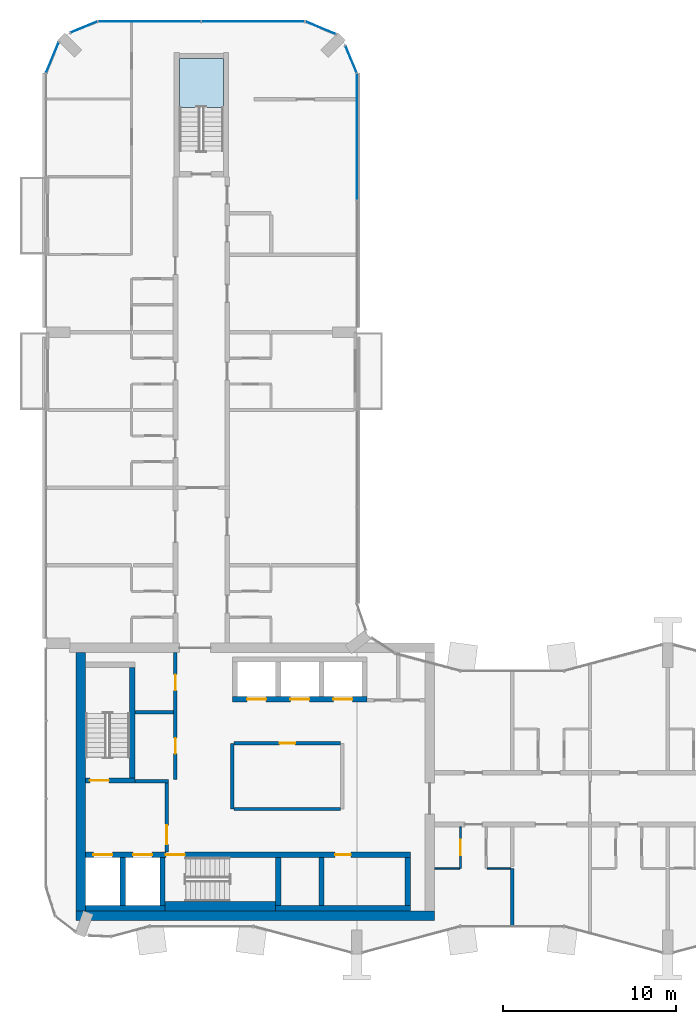
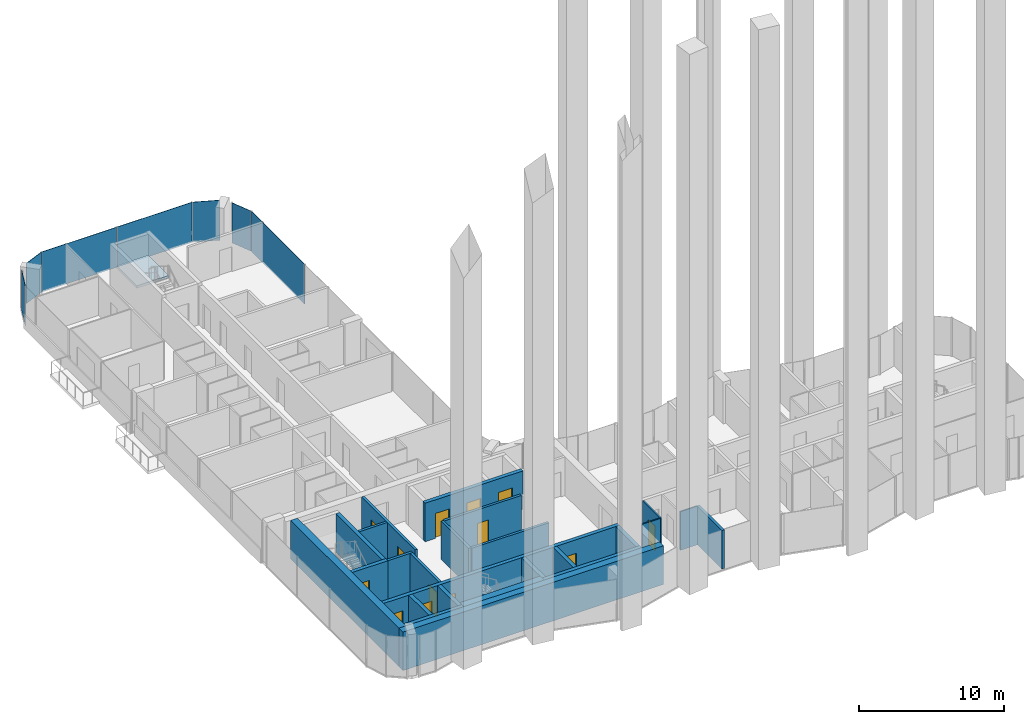
# One storey, part 9 of 17: 25 walls, 13 doors, 7 plates, 1 slab, 13 openings, 7 elements without a shape of their own.
"""IFC4 building model written with IfcOpenShell, lengths in metres."""

from ifc_helpers import new_model, si_unit, direction, frame, frame_2d, origin, origin_2d, place, context, subcontext, project, spatial, polyline, rectangle, outline, extrude, material, layer, layer_set, type_object, element, fill, aggregate, save


model = new_model("IFC4")

# Units and contexts
model_context = context("Model", 3, precision=1e-05, world=origin(), true_north=direction((0.0, 1.0)))
body_context = subcontext(model_context, "Body", "Model", "MODEL_VIEW")
ifc_project = project(units=[si_unit("LENGTHUNIT", "METRE"), si_unit("AREAUNIT", "SQUARE_METRE"), si_unit("VOLUMEUNIT", "CUBIC_METRE"), si_unit("PLANEANGLEUNIT", "RADIAN"), si_unit("MASSUNIT", "GRAM", prefix="KILO")], contexts=[model_context])

# Site, building, storey
site_placement = place(None, origin())
site = spatial("IfcSite", under=ifc_project, at=site_placement, CompositionType="ELEMENT")
building_placement = place(site_placement, origin())
building = spatial("IfcBuilding", under=site, at=building_placement, Name="Plateau Cross Towers", CompositionType="ELEMENT")
storey_placement = place(building_placement, frame((0.0, 0.0, 190.89990234375)))
storey = spatial("IfcBuildingStorey", under=building, at=storey_placement, Name="L49", CompositionType="ELEMENT", Elevation=190.89990234375)

# Curtain wall, plate
ifc_material_1 = material(Name="Dark low-iron glass", Category="glass")
ifc_layer_1 = layer(ifc_material_1, 0.239990234375)
ifc_layer_set_1 = layer_set([ifc_layer_1], Name="Dark low-iron glass")
curtain_wall_type = type_object("IfcCurtainWallType", Name="Curtain wall flush unitised CW-B", PredefinedType="NOTDEFINED", material=ifc_layer_set_1)
curtain_wall_1_placement = place(storey_placement, origin())
curtain_wall_1 = element("IfcCurtainWall", 1, at=curtain_wall_1_placement, inside=storey, type_object=curtain_wall_type, Name="ENV/A/L49/A180_363", PredefinedType="NOTDEFINED")
ifc_layer_2 = layer(ifc_material_1, 0.031982421875)
ifc_layer_set_2 = layer_set([ifc_layer_2], Name="Dark low-iron glass")
plate_type = type_object("IfcPlateType", Name="Glass panel 32 flush unitised", PredefinedType="CURTAIN_PANEL", material=ifc_layer_set_2)
plate_1_placement = place(storey_placement, frame((18.0, 47.324951171875, -0.1298828125), z_axis=(0.0, 0.0, 1.0), x_axis=(0.0, 1.0, 0.0)))
plate_1 = element("IfcPlate", 2, at=plate_1_placement, type_object=plate_type, Name="CW-B panel 2", PredefinedType="CURTAIN_PANEL", context=body_context, shape_type="SweptSolid", body=[
    extrude(rectangle(XDim=7.2900390625, YDim=0.031982421875, at=origin_2d()), origin(), (0.0, 0.0, 1.0), 3.3798828125),
])
aggregate(curtain_wall_1, [plate_1])

curtain_wall_2_placement = place(storey_placement, origin())
curtain_wall_2 = element("IfcCurtainWall", 3, at=curtain_wall_2_placement, inside=storey, type_object=curtain_wall_type, Name="ENV/A/L49/A180_510", PredefinedType="NOTDEFINED")
plate_2_placement = place(storey_placement, frame((17.66943359375, 51.79833984375, -0.1298828125), z_axis=(0.0, 0.0, 1.0), x_axis=(-0.382683612978, 0.923879457699, 0.0)))
plate_2 = element("IfcPlate", 4, at=plate_2_placement, type_object=plate_type, Name="CW-B panel 1", PredefinedType="CURTAIN_PANEL", context=body_context, shape_type="SweptSolid", body=[
    extrude(rectangle(XDim=1.668212890625, YDim=0.031982421875, at=origin_2d()), origin(), (0.0, 0.0, 1.0), 3.3798828125),
])
aggregate(curtain_wall_2, [plate_2])

curtain_wall_3_placement = place(storey_placement, origin())
curtain_wall_3 = element("IfcCurtainWall", 5, at=curtain_wall_3_placement, inside=storey, type_object=curtain_wall_type, Name="ENV/A/L49/A168_533", PredefinedType="NOTDEFINED")
plate_3_placement = place(storey_placement, frame((15.90283203125, 53.6259765625, -0.1298828125), z_axis=(0.0, 0.0, 1.0), x_axis=(-0.923879457699, 0.382683612978, 0.0)))
plate_3 = element("IfcPlate", 6, at=plate_3_placement, type_object=plate_type, Name="CW-B panel 1", PredefinedType="CURTAIN_PANEL", context=body_context, shape_type="SweptSolid", body=[
    extrude(rectangle(XDim=1.894775390625, YDim=0.031982421875, at=origin_2d()), origin(), (0.0, 0.0, 1.0), 3.3798828125),
])
aggregate(curtain_wall_3, [plate_3])

# Curtain wall, plates
curtain_wall_4_placement = place(storey_placement, origin())
curtain_wall_4 = element("IfcCurtainWall", 7, at=curtain_wall_4_placement, inside=storey, type_object=curtain_wall_type, Name="ENV/A/L49/A150_540", PredefinedType="NOTDEFINED")
plate_4_placement = place(storey_placement, frame((12.0, 54.0, -0.1298828125), z_axis=(0.0, 0.0, 1.0), x_axis=(-1.0, 0.0, 0.0)))
plate_4 = element("IfcPlate", 8, at=plate_4_placement, type_object=plate_type, Name="CW-B panel 1", PredefinedType="CURTAIN_PANEL", context=body_context, shape_type="SweptSolid", body=[
    extrude(rectangle(XDim=5.93994140625, YDim=0.031982421875, at=origin_2d()), origin(), (0.0, 0.0, 1.0), 3.3798828125),
])
plate_5_placement = place(storey_placement, frame((6.0, 54.0, -0.1298828125), z_axis=(0.0, 0.0, 1.0), x_axis=(-1.0, 0.0, 0.0)))
plate_5 = element("IfcPlate", 9, at=plate_5_placement, type_object=plate_type, Name="CW-B panel 2", PredefinedType="CURTAIN_PANEL", context=body_context, shape_type="SweptSolid", body=[
    extrude(rectangle(XDim=5.93994140625, YDim=0.031982421875, at=origin_2d()), origin(), (0.0, 0.0, 1.0), 3.3798828125),
])
aggregate(curtain_wall_4, [plate_4, plate_5])

# Curtain wall, plate
curtain_wall_5_placement = place(storey_placement, origin())
curtain_wall_5 = element("IfcCurtainWall", 10, at=curtain_wall_5_placement, inside=storey, type_object=curtain_wall_type, Name="ENV/A/L49/A30_540", PredefinedType="NOTDEFINED")
plate_6_placement = place(storey_placement, frame((2.20166015625, 53.66943359375, -0.1298828125), z_axis=(0.0, 0.0, 1.0), x_axis=(-0.923879457699, -0.382683612978, 0.0)))
plate_6 = element("IfcPlate", 11, at=plate_6_placement, type_object=plate_type, Name="CW-B panel 1", PredefinedType="CURTAIN_PANEL", context=body_context, shape_type="SweptSolid", body=[
    extrude(rectangle(XDim=1.668212890625, YDim=0.031982421875, at=origin_2d()), origin(), (0.0, 0.0, 1.0), 3.3798828125),
])
aggregate(curtain_wall_5, [plate_6])

curtain_wall_6_placement = place(storey_placement, origin())
curtain_wall_6 = element("IfcCurtainWall", 12, at=curtain_wall_6_placement, inside=storey, type_object=curtain_wall_type, Name="ENV/A/L49/A7_528", PredefinedType="NOTDEFINED")
plate_7_placement = place(storey_placement, frame((0.3740234375, 51.90283203125, -0.1298828125), z_axis=(0.0, 0.0, 1.0), x_axis=(-0.382683612978, -0.923879457699, 0.0)))
plate_7 = element("IfcPlate", 13, at=plate_7_placement, type_object=plate_type, Name="CW-B panel 1", PredefinedType="CURTAIN_PANEL", context=body_context, shape_type="SweptSolid", body=[
    extrude(rectangle(XDim=1.894775390625, YDim=0.031982421875, at=origin_2d()), origin(), (0.0, 0.0, 1.0), 3.3798828125),
])
aggregate(curtain_wall_6, [plate_7])

# Stair, slab
ifc_material_2 = material(Name="Concrete C40/50", Category="concrete")
stair_type = type_object("IfcStairType", Name="ST-TWR", PredefinedType="HALF_TURN_STAIR", material=ifc_material_2)
stair_placement = place(storey_placement, origin())
stair = element("IfcStair", 14, at=stair_placement, inside=storey, type_object=stair_type, Name="L49 Protected Exit Stair N", PredefinedType="HALF_TURN_STAIR")
ifc_layer_3 = layer(ifc_material_2, 0.199951171875)
ifc_layer_set_3 = layer_set([ifc_layer_3], Name="Concrete C40/50")
slab_type = type_object("IfcSlabType", Name="SL-LANDING", PredefinedType="LANDING", material=ifc_layer_set_3)
slab_placement = place(storey_placement, frame((0.0, 0.0, 1.550048828125)))
slab = element("IfcSlab", 15, at=slab_placement, type_object=slab_type, Name="ES-N landing 1", PredefinedType="LANDING", context=body_context, shape_type="SweptSolid", body=[
    extrude(outline(polyline([(10.27490234375, 49.02001953125), (10.27490234375, 51.85009765625), (7.72509765625, 51.85009765625), (7.72509765625, 49.02001953125), (10.27490234375, 49.02001953125)])), origin(), (0.0, 0.0, 1.0), 0.199951171875),
])
aggregate(stair, [slab])

# Wall, opening, door
ifc_material_3 = material(Name="Concrete block, plastered both sides", Category="concrete")
ifc_layer_4 = layer(ifc_material_3, 0.199951171875)
ifc_layer_set_4 = layer_set([ifc_layer_4], Name="Concrete block, plastered both sides")
wall_type_1 = type_object("IfcWallType", Name="Core partition 200", PredefinedType="PARTITIONING", material=ifc_layer_set_4)
wall_1_placement = place(storey_placement, frame((7.0, 5.89990234375, 0.0), z_axis=(0.0, 0.0, 1.0), x_axis=(0.0, 1.0, 0.0)))
wall_1 = element("IfcWall", 16, at=wall_1_placement, inside=storey, type_object=wall_type_1, Name="Core partition", PredefinedType="PARTITIONING", context=body_context, shape_type="SweptSolid", body=[
    extrude(rectangle(XDim=4.0, YDim=0.199951171875, at=frame_2d((2.0, 0.0))), origin(), (0.0, 0.0, 1.0), 3.25),
])
opening_1_placement = place(wall_1_placement, frame((0.449951171875, 0.0, 0.0)))
opening_1 = element("IfcOpeningElement", 17, at=opening_1_placement, cuts=wall_1, Name="Opening FFD", PredefinedType="OPENING", context=body_context, shape_type="SweptSolid", body=[
    extrude(rectangle(XDim=1.10009765625, YDim=2.10009765625, at=frame_2d((0.550048828125, 1.050048828125))), frame((0.0, 0.10986328125, 0.0), z_axis=(0.0, -1.0, 0.0), x_axis=(1.0, 0.0, 0.0)), (0.0, 0.0, 1.0), 0.219970703125),
])
ifc_material_4 = material(Name="Steel, fire-resisting leaf", Category="steel")
door_type_1 = type_object("IfcDoorType", Name="Firefighting lobby door 1100", OperationType="NOTDEFINED", PredefinedType="DOOR", material=ifc_material_4)
door_1_placement = place(opening_1_placement, origin())
door_1 = element("IfcDoor", 18, at=door_1_placement, inside=storey, type_object=door_type_1, Name="Firefighting lobby door FFD", OperationType="SINGLE_SWING_LEFT", OverallHeight=2.10009765625, OverallWidth=1.10009765625, PredefinedType="DOOR", context=body_context, shape_type="SweptSolid", body=[
    extrude(rectangle(XDim=1.10009765625, YDim=2.10009765625, at=frame_2d((0.550048828125, 1.050048828125))), frame((0.0, 0.02490234375, 0.0), z_axis=(0.0, -1.0, 0.0), x_axis=(1.0, 0.0, 0.0)), (0.0, 0.0, 1.0), 0.050048828125),
])
fill(opening_1, door_1)

# Walls
wall_2_placement = place(storey_placement, frame((5.14990234375, 10.0, 0.0), z_axis=(0.0, 0.0, 1.0), x_axis=(1.0, 0.0, 0.0)))
element("IfcWall", 19, at=wall_2_placement, inside=storey, type_object=wall_type_1, Name="Core partition", PredefinedType="PARTITIONING", context=body_context, shape_type="SweptSolid", body=[
    extrude(rectangle(XDim=1.9501953125, YDim=0.199951171875, at=frame_2d((0.97509765625, 0.0))), origin(), (0.0, 0.0, 1.0), 3.25),
])
wall_3_placement = place(storey_placement, frame((10.800048828125, 8.39990234375, 0.0), z_axis=(0.0, 0.0, 1.0), x_axis=(0.0, 1.0, 0.0)))
element("IfcWall", 20, at=wall_3_placement, inside=storey, type_object=wall_type_1, Name="Core partition", PredefinedType="PARTITIONING", context=body_context, shape_type="SweptSolid", body=[
    extrude(rectangle(XDim=3.800048828125, YDim=0.199951171875, at=frame_2d((1.89990234375, 0.0))), origin(), (0.0, 0.0, 1.0), 3.25),
])
wall_4_placement = place(storey_placement, frame((10.89990234375, 8.39990234375, 0.0), z_axis=(0.0, 0.0, 1.0), x_axis=(1.0, 0.0, 0.0)))
element("IfcWall", 21, at=wall_4_placement, inside=storey, type_object=wall_type_1, Name="Core partition", PredefinedType="PARTITIONING", context=body_context, shape_type="SweptSolid", body=[
    extrude(rectangle(XDim=6.150146484375, YDim=0.199951171875, at=frame_2d((3.0751953125, 0.0))), origin(), (0.0, 0.0, 1.0), 3.25),
])

# Wall, opening, door
wall_5_placement = place(storey_placement, frame((10.89990234375, 12.199951171875, 0.0), z_axis=(0.0, 0.0, 1.0), x_axis=(1.0, 0.0, 0.0)))
wall_5 = element("IfcWall", 22, at=wall_5_placement, inside=storey, type_object=wall_type_1, Name="Core partition", PredefinedType="PARTITIONING", context=body_context, shape_type="SweptSolid", body=[
    extrude(rectangle(XDim=6.150146484375, YDim=0.199951171875, at=frame_2d((3.0751953125, 0.0))), origin(), (0.0, 0.0, 1.0), 3.25),
])
opening_2_placement = place(wall_5_placement, frame((2.625, 0.0, 0.0)))
opening_2 = element("IfcOpeningElement", 23, at=opening_2_placement, cuts=wall_5, Name="Opening RD1", PredefinedType="OPENING", context=body_context, shape_type="SweptSolid", body=[
    extrude(rectangle(XDim=0.89990234375, YDim=2.10009765625, at=frame_2d((0.449951171875, 1.050048828125))), frame((0.0, 0.10986328125, 0.0), z_axis=(0.0, -1.0, 0.0), x_axis=(1.0, 0.0, 0.0)), (0.0, 0.0, 1.0), 0.219970703125),
])
ifc_material_5 = material(Name="Timber, fire-resisting leaf", Category="wood")
door_type_2 = type_object("IfcDoorType", Name="Core service door 900", OperationType="NOTDEFINED", PredefinedType="DOOR", material=ifc_material_5)
door_2_placement = place(opening_2_placement, origin())
door_2 = element("IfcDoor", 24, at=door_2_placement, inside=storey, type_object=door_type_2, Name="Core service door RD1", OperationType="SINGLE_SWING_LEFT", OverallHeight=2.10009765625, OverallWidth=0.89990234375, PredefinedType="DOOR", context=body_context, shape_type="SweptSolid", body=[
    extrude(rectangle(XDim=0.89990234375, YDim=2.10009765625, at=frame_2d((0.449951171875, 1.050048828125))), frame((0.0, 0.02490234375, 0.0), z_axis=(0.0, -1.0, 0.0), x_axis=(1.0, 0.0, 0.0)), (0.0, 0.0, 1.0), 0.050048828125),
])
fill(opening_2, door_2)

# Wall, openings, doors
wall_6_placement = place(storey_placement, frame((7.5, 10.10009765625, 0.0), z_axis=(0.0, 0.0, 1.0), x_axis=(0.0, 1.0, 0.0)))
wall_6 = element("IfcWall", 25, at=wall_6_placement, inside=storey, type_object=wall_type_1, Name="Core partition", PredefinedType="PARTITIONING", context=body_context, shape_type="SweptSolid", body=[
    extrude(rectangle(XDim=7.349853515625, YDim=0.199951171875, at=frame_2d((3.6748046875, 0.0))), origin(), (0.0, 0.0, 1.0), 3.25),
])
opening_3_placement = place(wall_6_placement, frame((1.5, 0.0, 0.0)))
opening_3 = element("IfcOpeningElement", 26, at=opening_3_placement, cuts=wall_6, Name="Opening RD1", PredefinedType="OPENING", context=body_context, shape_type="SweptSolid", body=[
    extrude(rectangle(XDim=0.89990234375, YDim=2.10009765625, at=frame_2d((0.449951171875, 1.050048828125))), frame((0.0, 0.10986328125, 0.0), z_axis=(0.0, -1.0, 0.0), x_axis=(1.0, 0.0, 0.0)), (0.0, 0.0, 1.0), 0.219970703125),
])
opening_4_placement = place(wall_6_placement, frame((5.175048828125, 0.0, 0.0)))
opening_4 = element("IfcOpeningElement", 27, at=opening_4_placement, cuts=wall_6, Name="Opening RD1", PredefinedType="OPENING", context=body_context, shape_type="SweptSolid", body=[
    extrude(rectangle(XDim=0.89990234375, YDim=2.10009765625, at=frame_2d((0.449951171875, 1.050048828125))), frame((0.0, 0.10986328125, 0.0), z_axis=(0.0, -1.0, 0.0), x_axis=(1.0, 0.0, 0.0)), (0.0, 0.0, 1.0), 0.219970703125),
])
door_3_placement = place(opening_3_placement, origin())
door_3 = element("IfcDoor", 28, at=door_3_placement, inside=storey, type_object=door_type_2, Name="Core service door RD1", OperationType="SINGLE_SWING_RIGHT", OverallHeight=2.10009765625, OverallWidth=0.89990234375, PredefinedType="DOOR", context=body_context, shape_type="SweptSolid", body=[
    extrude(rectangle(XDim=0.89990234375, YDim=2.10009765625, at=frame_2d((0.449951171875, 1.050048828125))), frame((0.0, 0.02490234375, 0.0), z_axis=(0.0, -1.0, 0.0), x_axis=(1.0, 0.0, 0.0)), (0.0, 0.0, 1.0), 0.050048828125),
])
fill(opening_3, door_3)
door_4_placement = place(opening_4_placement, origin())
door_4 = element("IfcDoor", 29, at=door_4_placement, inside=storey, type_object=door_type_2, Name="Core service door RD1", OperationType="SINGLE_SWING_RIGHT", OverallHeight=2.10009765625, OverallWidth=0.89990234375, PredefinedType="DOOR", context=body_context, shape_type="SweptSolid", body=[
    extrude(rectangle(XDim=0.89990234375, YDim=2.10009765625, at=frame_2d((0.449951171875, 1.050048828125))), frame((0.0, 0.02490234375, 0.0), z_axis=(0.0, -1.0, 0.0), x_axis=(1.0, 0.0, 0.0)), (0.0, 0.0, 1.0), 0.050048828125),
])
fill(opening_4, door_4)

# Walls
wall_7_placement = place(storey_placement, frame((5.14990234375, 14.0, 0.0), z_axis=(0.0, 0.0, 1.0), x_axis=(1.0, 0.0, 0.0)))
element("IfcWall", 30, at=wall_7_placement, inside=storey, type_object=wall_type_1, Name="Core partition", PredefinedType="PARTITIONING", context=body_context, shape_type="SweptSolid", body=[
    extrude(rectangle(XDim=2.25, YDim=0.199951171875, at=frame_2d((1.125, 0.0))), origin(), (0.0, 0.0, 1.0), 3.25),
])
ifc_material_6 = material(Name="Concrete C60/75", Category="concrete")
ifc_layer_5 = layer(ifc_material_6, 0.300048828125)
ifc_layer_set_5 = layer_set([ifc_layer_5], Name="Concrete C60/75")
wall_type_2 = type_object("IfcWallType", Name="Core shaft wall 300", PredefinedType="SHEAR", material=ifc_layer_set_5)
wall_8_placement = place(storey_placement, frame((2.300048828125, 2.64990234375, 0.0), z_axis=(0.0, 0.0, 1.0), x_axis=(1.0, 0.0, 0.0)))
element("IfcWall", 31, at=wall_8_placement, inside=storey, type_object=wall_type_2, Name="A-sb-back1@L49", PredefinedType="SHEAR", context=body_context, shape_type="SweptSolid", body=[
    extrude(rectangle(XDim=4.599853515625, YDim=0.300048828125, at=frame_2d((2.2998046875, 0.0))), origin(), (0.0, 0.0, 1.0), 3.25),
])
wall_9_placement = place(storey_placement, frame((13.300048828125, 2.64990234375, 0.0), z_axis=(0.0, 0.0, 1.0), x_axis=(1.0, 0.0, 0.0)))
element("IfcWall", 32, at=wall_9_placement, inside=storey, type_object=wall_type_2, Name="A-sb-back3@L49", PredefinedType="SHEAR", context=body_context, shape_type="SweptSolid", body=[
    extrude(rectangle(XDim=7.800048828125, YDim=0.300048828125, at=frame_2d((3.89990234375, 0.0))), origin(), (0.0, 0.0, 1.0), 3.25),
])
for number, where, z_axis, x_axis, name in (
    (33, (4.449951171875, 2.800048828125, 0.0), (0.0, 0.0, 1.0), (0.0, 1.0, 0.0), "A-sb-v1@L49"),
    (34, (6.75, 2.800048828125, 0.0), (0.0, 0.0, 1.0), (0.0, 1.0, 0.0), "A-sb-v2@L49"),
    (35, (13.449951171875, 2.800048828125, 0.0), (0.0, 0.0, 1.0), (0.0, 1.0, 0.0), "A-sb-v3@L49"),
    (36, (20.949951171875, 2.800048828125, 0.0), (0.0, 0.0, 1.0), (0.0, 1.0, 0.0), "A-sb-v6@L49"),
):
    element("IfcWall", number, at=place(storey_placement, frame(where, z_axis=z_axis, x_axis=x_axis)), inside=storey, type_object=wall_type_2, Name=name, PredefinedType="SHEAR", context=body_context, shape_type="SweptSolid", body=[
        extrude(rectangle(XDim=2.800048828125, YDim=0.300048828125, at=frame_2d((1.39990234375, 0.0))), origin(), (0.0, 0.0, 1.0), 3.25),
    ])

# Wall, openings, doors
wall_10_placement = place(storey_placement, frame((2.300048828125, 5.75, 0.0), z_axis=(0.0, 0.0, 1.0), x_axis=(1.0, 0.0, 0.0)))
wall_10 = element("IfcWall", 37, at=wall_10_placement, inside=storey, type_object=wall_type_2, Name="A-sb-front@L49", PredefinedType="SHEAR", context=body_context, shape_type="SweptSolid", body=[
    extrude(rectangle(XDim=18.800048828125, YDim=0.300048828125, at=frame_2d((9.39990234375, 0.0))), origin(), (0.0, 0.0, 1.0), 3.25),
])
opening_5_placement = place(wall_10_placement, frame((4.64990234375, 0.0, 0.0)))
opening_5 = element("IfcOpeningElement", 38, at=opening_5_placement, cuts=wall_10, Name="Opening SD", PredefinedType="OPENING", context=body_context, shape_type="SweptSolid", body=[
    extrude(rectangle(XDim=1.10009765625, YDim=2.10009765625, at=frame_2d((0.550048828125, 1.050048828125))), frame((0.0, 0.159912109375, 0.0), z_axis=(0.0, -1.0, 0.0), x_axis=(1.0, 0.0, 0.0)), (0.0, 0.0, 1.0), 0.320068359375),
])
opening_6_placement = place(wall_10_placement, frame((0.449951171875, 0.0, 0.0)))
opening_6 = element("IfcOpeningElement", 39, at=opening_6_placement, cuts=wall_10, Name="Opening LD", PredefinedType="OPENING", context=body_context, shape_type="SweptSolid", body=[
    extrude(rectangle(XDim=1.10009765625, YDim=2.10009765625, at=frame_2d((0.550048828125, 1.050048828125))), frame((0.0, 0.159912109375, 0.0), z_axis=(0.0, -1.0, 0.0), x_axis=(1.0, 0.0, 0.0)), (0.0, 0.0, 1.0), 0.320068359375),
])
opening_7_placement = place(wall_10_placement, frame((2.75, 0.0, 0.0)))
opening_7 = element("IfcOpeningElement", 40, at=opening_7_placement, cuts=wall_10, Name="Opening LD", PredefinedType="OPENING", context=body_context, shape_type="SweptSolid", body=[
    extrude(rectangle(XDim=1.10009765625, YDim=2.10009765625, at=frame_2d((0.550048828125, 1.050048828125))), frame((0.0, 0.159912109375, 0.0), z_axis=(0.0, -1.0, 0.0), x_axis=(1.0, 0.0, 0.0)), (0.0, 0.0, 1.0), 0.320068359375),
])
opening_8_placement = place(wall_10_placement, frame((14.449951171875, 0.0, 0.0)))
opening_8 = element("IfcOpeningElement", 41, at=opening_8_placement, cuts=wall_10, Name="Opening RD2", PredefinedType="OPENING", context=body_context, shape_type="SweptSolid", body=[
    extrude(rectangle(XDim=0.89990234375, YDim=2.10009765625, at=frame_2d((0.449951171875, 1.050048828125))), frame((0.0, 0.159912109375, 0.0), z_axis=(0.0, -1.0, 0.0), x_axis=(1.0, 0.0, 0.0)), (0.0, 0.0, 1.0), 0.320068359375),
])
door_type_3 = type_object("IfcDoorType", Name="Core riser door 900", OperationType="NOTDEFINED", PredefinedType="DOOR", material=ifc_material_4)
door_5_placement = place(opening_8_placement, origin())
door_5 = element("IfcDoor", 42, at=door_5_placement, inside=storey, type_object=door_type_3, Name="Core riser door RD2", OperationType="SINGLE_SWING_LEFT", OverallHeight=2.10009765625, OverallWidth=0.89990234375, PredefinedType="DOOR", context=body_context, shape_type="SweptSolid", body=[
    extrude(rectangle(XDim=0.89990234375, YDim=2.10009765625, at=frame_2d((0.449951171875, 1.050048828125))), frame((0.0, 0.02490234375, 0.0), z_axis=(0.0, -1.0, 0.0), x_axis=(1.0, 0.0, 0.0)), (0.0, 0.0, 1.0), 0.050048828125),
])
fill(opening_8, door_5)
ifc_material_7 = material(Name="Stainless steel, fire-resisting sliding leaves", Category="steel")
door_type_4 = type_object("IfcDoorType", Name="Lift landing door 1100", OperationType="NOTDEFINED", PredefinedType="DOOR", material=ifc_material_7)
door_6_placement = place(opening_6_placement, origin())
door_6 = element("IfcDoor", 43, at=door_6_placement, inside=storey, type_object=door_type_4, Name="Lift landing door LD", OperationType="DOUBLE_DOOR_SLIDING", OverallHeight=2.10009765625, OverallWidth=1.10009765625, PredefinedType="DOOR", context=body_context, shape_type="SweptSolid", body=[
    extrude(rectangle(XDim=1.10009765625, YDim=2.10009765625, at=frame_2d((0.550048828125, 1.050048828125))), frame((0.0, 0.02490234375, 0.0), z_axis=(0.0, -1.0, 0.0), x_axis=(1.0, 0.0, 0.0)), (0.0, 0.0, 1.0), 0.050048828125),
])
fill(opening_6, door_6)
door_7_placement = place(opening_7_placement, origin())
door_7 = element("IfcDoor", 44, at=door_7_placement, inside=storey, type_object=door_type_4, Name="Lift landing door LD", OperationType="DOUBLE_DOOR_SLIDING", OverallHeight=2.10009765625, OverallWidth=1.10009765625, PredefinedType="DOOR", context=body_context, shape_type="SweptSolid", body=[
    extrude(rectangle(XDim=1.10009765625, YDim=2.10009765625, at=frame_2d((0.550048828125, 1.050048828125))), frame((0.0, 0.02490234375, 0.0), z_axis=(0.0, -1.0, 0.0), x_axis=(1.0, 0.0, 0.0)), (0.0, 0.0, 1.0), 0.050048828125),
])
fill(opening_7, door_7)
door_type_5 = type_object("IfcDoorType", Name="Stair door 1100", OperationType="NOTDEFINED", PredefinedType="DOOR", material=ifc_material_4)
door_8_placement = place(opening_5_placement, origin())
door_8 = element("IfcDoor", 45, at=door_8_placement, inside=storey, type_object=door_type_5, Name="Stair door SD", OperationType="SINGLE_SWING_LEFT", OverallHeight=2.10009765625, OverallWidth=1.10009765625, PredefinedType="DOOR", context=body_context, shape_type="SweptSolid", body=[
    extrude(rectangle(XDim=1.10009765625, YDim=2.10009765625, at=frame_2d((0.550048828125, 1.050048828125))), frame((0.0, 0.02490234375, 0.0), z_axis=(0.0, -1.0, 0.0), x_axis=(1.0, 0.0, 0.0)), (0.0, 0.0, 1.0), 0.050048828125),
])
fill(opening_5, door_8)

# Wall, opening, door
wall_11_placement = place(storey_placement, frame((2.300048828125, 10.050048828125, 0.0), z_axis=(0.0, 0.0, 1.0), x_axis=(1.0, 0.0, 0.0)))
wall_11 = element("IfcWall", 46, at=wall_11_placement, inside=storey, type_object=wall_type_2, Name="A-st1-S@L49", PredefinedType="SHEAR", context=body_context, shape_type="SweptSolid", body=[
    extrude(rectangle(XDim=2.849853515625, YDim=0.300048828125, at=frame_2d((1.4248046875, 0.0))), origin(), (0.0, 0.0, 1.0), 3.25),
])
opening_9_placement = place(wall_11_placement, frame((0.25, 0.0, 0.0)))
opening_9 = element("IfcOpeningElement", 47, at=opening_9_placement, cuts=wall_11, Name="Opening SD", PredefinedType="OPENING", context=body_context, shape_type="SweptSolid", body=[
    extrude(rectangle(XDim=1.10009765625, YDim=2.10009765625, at=frame_2d((0.550048828125, 1.050048828125))), frame((0.0, 0.159912109375, 0.0), z_axis=(0.0, -1.0, 0.0), x_axis=(1.0, 0.0, 0.0)), (0.0, 0.0, 1.0), 0.320068359375),
])
door_9_placement = place(opening_9_placement, origin())
door_9 = element("IfcDoor", 48, at=door_9_placement, inside=storey, type_object=door_type_5, Name="Stair door SD", OperationType="SINGLE_SWING_RIGHT", OverallHeight=2.10009765625, OverallWidth=1.10009765625, PredefinedType="DOOR", context=body_context, shape_type="SweptSolid", body=[
    extrude(rectangle(XDim=1.10009765625, YDim=2.10009765625, at=frame_2d((0.550048828125, 1.050048828125))), frame((0.0, 0.02490234375, 0.0), z_axis=(0.0, -1.0, 0.0), x_axis=(1.0, 0.0, 0.0)), (0.0, 0.0, 1.0), 0.050048828125),
])
fill(opening_9, door_9)

# Wall
wall_12_placement = place(storey_placement, frame((5.0, 10.199951171875, 0.0), z_axis=(0.0, 0.0, 1.0), x_axis=(0.0, 1.0, 0.0)))
element("IfcWall", 49, at=wall_12_placement, inside=storey, type_object=wall_type_2, Name="A-st1-E@L49", PredefinedType="SHEAR", context=body_context, shape_type="SweptSolid", body=[
    extrude(rectangle(XDim=6.400146484375, YDim=0.300048828125, at=frame_2d((3.2001953125, 0.0))), origin(), (0.0, 0.0, 1.0), 3.25),
])

# Wall, openings, doors
wall_13_placement = place(storey_placement, frame((10.800048828125, 14.75, 0.0), z_axis=(0.0, 0.0, 1.0), x_axis=(1.0, 0.0, 0.0)))
wall_13 = element("IfcWall", 50, at=wall_13_placement, inside=storey, type_object=wall_type_2, Name="A-nb-front@L49", PredefinedType="SHEAR", context=body_context, shape_type="SweptSolid", body=[
    extrude(rectangle(XDim=7.800048828125, YDim=0.300048828125, at=frame_2d((3.89990234375, 0.0))), origin(), (0.0, 0.0, 1.0), 3.25),
])
opening_10_placement = place(wall_13_placement, frame((0.85009765625, 0.0, 0.0)))
opening_10 = element("IfcOpeningElement", 51, at=opening_10_placement, cuts=wall_13, Name="Opening LD", PredefinedType="OPENING", context=body_context, shape_type="SweptSolid", body=[
    extrude(rectangle(XDim=1.10009765625, YDim=2.10009765625, at=frame_2d((0.550048828125, 1.050048828125))), frame((0.0, 0.159912109375, 0.0), z_axis=(0.0, -1.0, 0.0), x_axis=(1.0, 0.0, 0.0)), (0.0, 0.0, 1.0), 0.320068359375),
])
opening_11_placement = place(wall_13_placement, frame((3.35009765625, 0.0, 0.0)))
opening_11 = element("IfcOpeningElement", 52, at=opening_11_placement, cuts=wall_13, Name="Opening LD", PredefinedType="OPENING", context=body_context, shape_type="SweptSolid", body=[
    extrude(rectangle(XDim=1.10009765625, YDim=2.10009765625, at=frame_2d((0.550048828125, 1.050048828125))), frame((0.0, 0.159912109375, 0.0), z_axis=(0.0, -1.0, 0.0), x_axis=(1.0, 0.0, 0.0)), (0.0, 0.0, 1.0), 0.320068359375),
])
opening_12_placement = place(wall_13_placement, frame((5.85009765625, 0.0, 0.0)))
opening_12 = element("IfcOpeningElement", 53, at=opening_12_placement, cuts=wall_13, Name="Opening LD", PredefinedType="OPENING", context=body_context, shape_type="SweptSolid", body=[
    extrude(rectangle(XDim=1.10009765625, YDim=2.10009765625, at=frame_2d((0.550048828125, 1.050048828125))), frame((0.0, 0.159912109375, 0.0), z_axis=(0.0, -1.0, 0.0), x_axis=(1.0, 0.0, 0.0)), (0.0, 0.0, 1.0), 0.320068359375),
])
door_10_placement = place(opening_10_placement, origin())
door_10 = element("IfcDoor", 54, at=door_10_placement, inside=storey, type_object=door_type_4, Name="Lift landing door LD", OperationType="DOUBLE_DOOR_SLIDING", OverallHeight=2.10009765625, OverallWidth=1.10009765625, PredefinedType="DOOR", context=body_context, shape_type="SweptSolid", body=[
    extrude(rectangle(XDim=1.10009765625, YDim=2.10009765625, at=frame_2d((0.550048828125, 1.050048828125))), frame((0.0, 0.02490234375, 0.0), z_axis=(0.0, -1.0, 0.0), x_axis=(1.0, 0.0, 0.0)), (0.0, 0.0, 1.0), 0.050048828125),
])
fill(opening_10, door_10)
door_11_placement = place(opening_11_placement, origin())
door_11 = element("IfcDoor", 55, at=door_11_placement, inside=storey, type_object=door_type_4, Name="Lift landing door LD", OperationType="DOUBLE_DOOR_SLIDING", OverallHeight=2.10009765625, OverallWidth=1.10009765625, PredefinedType="DOOR", context=body_context, shape_type="SweptSolid", body=[
    extrude(rectangle(XDim=1.10009765625, YDim=2.10009765625, at=frame_2d((0.550048828125, 1.050048828125))), frame((0.0, 0.02490234375, 0.0), z_axis=(0.0, -1.0, 0.0), x_axis=(1.0, 0.0, 0.0)), (0.0, 0.0, 1.0), 0.050048828125),
])
fill(opening_11, door_11)
door_12_placement = place(opening_12_placement, origin())
door_12 = element("IfcDoor", 56, at=door_12_placement, inside=storey, type_object=door_type_4, Name="Lift landing door LD", OperationType="DOUBLE_DOOR_SLIDING", OverallHeight=2.10009765625, OverallWidth=1.10009765625, PredefinedType="DOOR", context=body_context, shape_type="SweptSolid", body=[
    extrude(rectangle(XDim=1.10009765625, YDim=2.10009765625, at=frame_2d((0.550048828125, 1.050048828125))), frame((0.0, 0.02490234375, 0.0), z_axis=(0.0, -1.0, 0.0), x_axis=(1.0, 0.0, 0.0)), (0.0, 0.0, 1.0), 0.050048828125),
])
fill(opening_12, door_12)

# Walls
wall_14_placement = place(storey_placement, frame((15.949951171875, 2.800048828125, 0.0), z_axis=(0.0, 0.0, 1.0), x_axis=(0.0, 1.0, 0.0)))
element("IfcWall", 57, at=wall_14_placement, inside=storey, type_object=wall_type_2, Name="A-sb-v4@L50", PredefinedType="SHEAR", context=body_context, shape_type="SweptSolid", body=[
    extrude(rectangle(XDim=2.800048828125, YDim=0.300048828125, at=frame_2d((1.39990234375, 0.0))), origin(), (0.0, 0.0, 1.0), 3.25),
])
ifc_layer_6 = layer(ifc_material_6, 0.550048828125)
ifc_layer_set_6 = layer_set([ifc_layer_6], Name="Concrete C60/75")
wall_type_3 = type_object("IfcWallType", Name="Core shaft wall 550", PredefinedType="SHEAR", material=ifc_layer_set_6)
wall_15_placement = place(storey_placement, frame((6.89990234375, 2.77490234375, 0.0), z_axis=(0.0, 0.0, 1.0), x_axis=(1.0, 0.0, 0.0)))
element("IfcWall", 58, at=wall_15_placement, inside=storey, type_object=wall_type_3, Name="A-sb-back2@L49", PredefinedType="SHEAR", context=body_context, shape_type="SweptSolid", body=[
    extrude(rectangle(XDim=6.400146484375, YDim=0.550048828125, at=frame_2d((3.2001953125, 0.0))), origin(), (0.0, 0.0, 1.0), 3.25),
])
ifc_layer_7 = layer(ifc_material_6, 0.550048828125)
ifc_layer_set_7 = layer_set([ifc_layer_7], Name="Concrete C60/75")
wall_type_4 = type_object("IfcWallType", Name="Core shell wall 550", PredefinedType="SHEAR", material=ifc_layer_set_7)
wall_16_placement = place(storey_placement, frame((1.75, 2.22509765625, 0.0), z_axis=(0.0, 0.0, 1.0), x_axis=(1.0, 0.0, 0.0)))
element("IfcWall", 59, at=wall_16_placement, inside=storey, type_object=wall_type_4, Name="A-core-S@L49", PredefinedType="SHEAR", context=body_context, shape_type="SweptSolid", body=[
    extrude(rectangle(XDim=20.75, YDim=0.550048828125, at=frame_2d((10.375, 0.0))), origin(), (0.0, 0.0, 1.0), 3.25),
])
wall_17_placement = place(storey_placement, frame((2.02490234375, 2.5, 0.0), z_axis=(0.0, 0.0, 1.0), x_axis=(0.0, 1.0, 0.0)))
element("IfcWall", 60, at=wall_17_placement, inside=storey, type_object=wall_type_4, Name="A-core-W@L49", PredefinedType="SHEAR", context=body_context, shape_type="SweptSolid", body=[
    extrude(rectangle(XDim=14.949951171875, YDim=0.550048828125, at=frame_2d((7.47509765625, 0.0))), origin(), (0.0, 0.0, 1.0), 3.25),
])
ifc_material_8 = material(Name="Gypsum board on steel studs", Category="steel")
ifc_layer_8 = layer(ifc_material_8, 0.10009765625)
ifc_layer_set_8 = layer_set([ifc_layer_8], Name="Gypsum board on steel studs")
wall_type_5 = type_object("IfcWallType", Name="Flat partition 100", PredefinedType="PARTITIONING", material=ifc_layer_set_8)
wall_18_placement = place(storey_placement, frame((22.5, 4.96240234375, 0.0), z_axis=(0.0, 0.0, 1.0), x_axis=(1.0, 0.0, 0.0)))
element("IfcWall", 61, at=wall_18_placement, inside=storey, type_object=wall_type_5, Name="Partition wall", PredefinedType="PARTITIONING", context=body_context, shape_type="SweptSolid", body=[
    extrude(rectangle(XDim=1.449951171875, YDim=0.10009765625, at=frame_2d((0.72509765625, 0.0))), origin(), (0.0, 0.0, 1.0), 3.25),
])
wall_19_placement = place(storey_placement, frame((25.550048828125, 4.96240234375, 0.0), z_axis=(0.0, 0.0, 1.0), x_axis=(1.0, 0.0, 0.0)))
element("IfcWall", 62, at=wall_19_placement, inside=storey, type_object=wall_type_5, Name="Partition wall", PredefinedType="PARTITIONING", context=body_context, shape_type="SweptSolid", body=[
    extrude(rectangle(XDim=1.349853515625, YDim=0.10009765625, at=frame_2d((0.6748046875, 0.0))), origin(), (0.0, 0.0, 1.0), 3.25),
])

# Wall, opening, door
wall_20_placement = place(storey_placement, frame((24.0, 4.96240234375, 0.0), z_axis=(0.0, 0.0, 1.0), x_axis=(0.0, 1.0, 0.0)))
wall_20 = element("IfcWall", 63, at=wall_20_placement, inside=storey, type_object=wall_type_5, Name="Partition wall", PredefinedType="PARTITIONING", context=body_context, shape_type="SweptSolid", body=[
    extrude(rectangle(XDim=2.400146484375, YDim=0.10009765625, at=frame_2d((1.2001953125, 0.0))), origin(), (0.0, 0.0, 1.0), 3.25),
])
opening_13_placement = place(wall_20_placement, frame((0.75, 0.0, 0.0)))
opening_13 = element("IfcOpeningElement", 64, at=opening_13_placement, cuts=wall_20, Name="Opening 49-26", PredefinedType="OPENING", context=body_context, shape_type="SweptSolid", body=[
    extrude(rectangle(XDim=0.89990234375, YDim=2.10009765625, at=frame_2d((0.449951171875, 1.050048828125))), frame((0.0, 0.06005859375, 0.0), z_axis=(0.0, -1.0, 0.0), x_axis=(1.0, 0.0, 0.0)), (0.0, 0.0, 1.0), 0.1201171875),
])
ifc_material_9 = material(Name="Timber leaf", Category="wood")
door_type_6 = type_object("IfcDoorType", Name="Flat room door 900", OperationType="NOTDEFINED", PredefinedType="DOOR", material=ifc_material_9)
door_13_placement = place(opening_13_placement, origin())
door_13 = element("IfcDoor", 65, at=door_13_placement, inside=storey, type_object=door_type_6, Name="Door 49-26", OperationType="SINGLE_SWING_RIGHT", OverallHeight=2.10009765625, OverallWidth=0.89990234375, PredefinedType="DOOR", context=body_context, shape_type="SweptSolid", body=[
    extrude(rectangle(XDim=0.89990234375, YDim=2.10009765625, at=frame_2d((0.449951171875, 1.050048828125))), frame((0.0, 0.02490234375, 0.0), z_axis=(0.0, -1.0, 0.0), x_axis=(1.0, 0.0, 0.0)), (0.0, 0.0, 1.0), 0.050048828125),
])
fill(opening_13, door_13)

# Wall
ifc_material_10 = material(Name="Gypsum board on steel studs, two layers each side", Category="steel")
ifc_layer_9 = layer(ifc_material_10, 0.199951171875)
ifc_layer_set_9 = layer_set([ifc_layer_9], Name="Gypsum board on steel studs, two layers each side")
wall_type_6 = type_object("IfcWallType", Name="Flat party wall 200", PredefinedType="PARTITIONING", material=ifc_layer_set_9)
wall_21_placement = place(storey_placement, frame((27.0, 4.96240234375, 0.0), z_axis=(0.0, 0.0, 1.0), x_axis=(0.0, -1.0, 0.0)))
element("IfcWall", 66, at=wall_21_placement, inside=storey, type_object=wall_type_6, Name="Party wall", PredefinedType="PARTITIONING", context=body_context, shape_type="SweptSolid", body=[
    extrude(rectangle(XDim=3.435546875, YDim=0.199951171875, at=frame_2d((1.7177734375, 0.0))), origin(), (0.0, 0.0, 1.0), 3.25),
])

save(model, "model.ifc")
